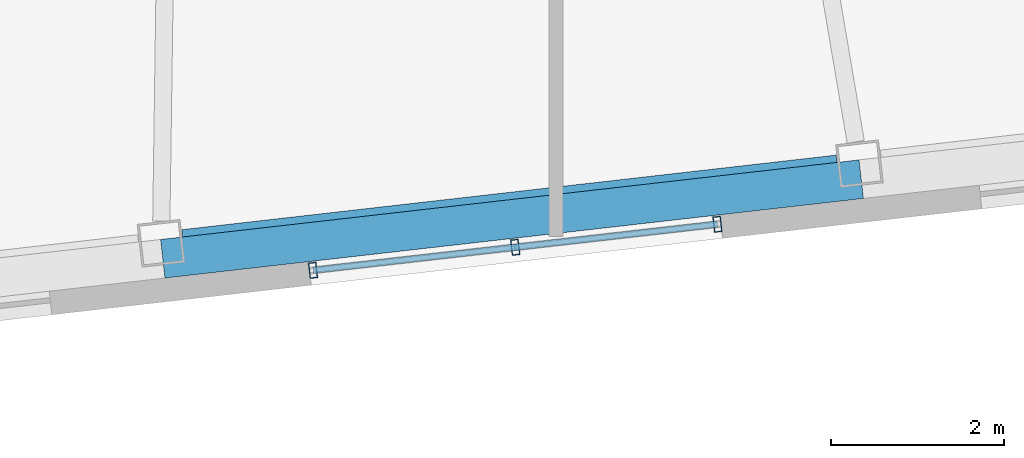
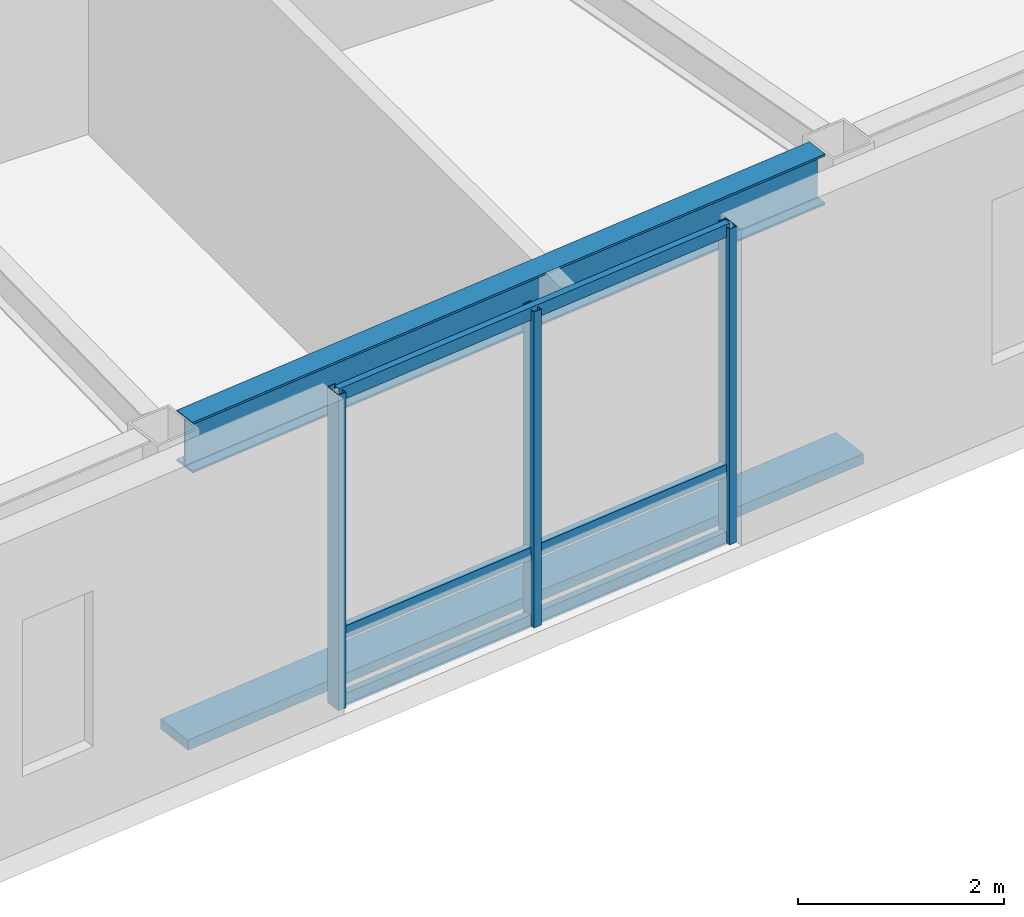
# One storey, part 6 of 19: 7 members, 1 beam, 1 element without a shape of its own.
"""IFC4 building model written with IfcOpenShell, lengths in metres."""

from ifc_helpers import new_model, si_unit, direction, frame, origin, origin_2d, place, context, subcontext, project, spatial, rectangle, hollow_rectangle, i_section, extrude, material, layer, layer_set, material_profile, profile_set, type_object, element, aggregate, save


model = new_model("IFC4")

# Units and contexts
model_context = context("Model", 3, precision=1e-05, world=origin(), true_north=direction((0.0, 1.0)))
body_context = subcontext(model_context, "Body", "Model", "MODEL_VIEW")
ifc_project = project(units=[si_unit("LENGTHUNIT", "METRE"), si_unit("AREAUNIT", "SQUARE_METRE"), si_unit("VOLUMEUNIT", "CUBIC_METRE"), si_unit("PLANEANGLEUNIT", "RADIAN"), si_unit("MASSUNIT", "GRAM", prefix="KILO")], contexts=[model_context])

# Site, building, storey
site_placement = place(None, origin())
site = spatial("IfcSite", under=ifc_project, at=site_placement, CompositionType="ELEMENT")
building_placement = place(site_placement, origin())
building = spatial("IfcBuilding", under=site, at=building_placement, Name="Tavrogorsk Clinical Tower", CompositionType="ELEMENT")
storey_placement = place(building_placement, frame((0.0, 0.0, 259.0)))
storey = spatial("IfcBuildingStorey", under=building, at=storey_placement, Name="L60", CompositionType="ELEMENT", Elevation=259.0)

# Member
ifc_material_1 = material(Name="Anodised aluminium alloy AW-6063", Category="aluminium")
ifc_material_profile_1 = material_profile(ifc_material_1, rectangle(XDim=0.449951171875, YDim=0.1201171875, at=origin_2d()), Name="ALU-SUNSHADE-450x120")
ifc_profile_set_1 = profile_set([ifc_material_profile_1], Name="Anodised aluminium alloy AW-6063")
member_type_1 = type_object("IfcMemberType", Name="ChicagoSunshade_450x120", PredefinedType="USERDEFINED", material=ifc_profile_set_1)
member_1_placement = place(storey_placement, frame((4.240478515625, -19.29150390625, 0.179931640625), z_axis=(0.9935729766, 0.113193375116, 0.0), x_axis=(-0.113193375116, 0.9935729766, 0.0)))
element("IfcMember", 1, at=member_1_placement, inside=storey, type_object=member_type_1, Name="L60 South Aluminium Sunshade S5", ObjectType="SUNSHADE", PredefinedType="USERDEFINED", context=body_context, shape_type="SweptSolid", body=[
    extrude(rectangle(XDim=0.449951171875, YDim=0.1201171875, at=origin_2d()), origin(), (0.0, 0.0, 1.0), 8.148681640625),
])

# Curtain wall, members
ifc_material_2 = material(Name="Anodised aluminium and triple IGU glazing", Category="aluminium")
ifc_layer = layer(ifc_material_2, 0.179931640625)
ifc_layer_set = layer_set([ifc_layer], Name="Anodised aluminium and triple IGU glazing")
curtain_wall_type = type_object("IfcCurtainWallType", Name="CW3_SouthSlot", PredefinedType="NOTDEFINED", material=ifc_layer_set)
curtain_wall_placement = place(storey_placement, origin())
curtain_wall = element("IfcCurtainWall", 2, at=curtain_wall_placement, inside=storey, type_object=curtain_wall_type, Name="L60 Curtain Wall CW-L60-S-SLOT-2", PredefinedType="NOTDEFINED")
ifc_material_3 = material(Name="Anodised aluminium alloy AW-6060", Category="aluminium")
ifc_material_profile_2 = material_profile(ifc_material_3, hollow_rectangle(XDim=0.090087890625, YDim=0.179931640625, WallThickness=0.00634765625, at=origin_2d()), Name="RHS-180x90x6.3")
ifc_profile_set_2 = profile_set([ifc_material_profile_2], Name="Anodised aluminium alloy AW-6060")
member_type_2 = type_object("IfcMemberType", Name="CwMullion_180x90", PredefinedType="MULLION", material=ifc_profile_set_2)
member_2_placement = place(storey_placement, frame((5.982177734375, -19.42529296875, 0.0), z_axis=(0.0, 0.0, 1.0), x_axis=(0.993571855603, 0.11320321441, 0.0)))
member_2 = element("IfcMember", 3, at=member_2_placement, type_object=member_type_2, Name="CW-L60-S-SLOT-2 Mullion 1", PredefinedType="MULLION", context=body_context, shape_type="SweptSolid", body=[
    extrude(hollow_rectangle(XDim=0.090087890625, YDim=0.179931640625, WallThickness=0.00634765625, at=origin_2d()), origin(), (0.0, 0.0, 1.0), 3.739990234375),
])
member_3_placement = place(storey_placement, frame((8.325927734375, -19.158203125, 0.0), z_axis=(0.0, 0.0, 1.0), x_axis=(0.993571855603, 0.11320321441, 0.0)))
member_3 = element("IfcMember", 4, at=member_3_placement, type_object=member_type_2, Name="CW-L60-S-SLOT-2 Mullion 2", PredefinedType="MULLION", context=body_context, shape_type="SweptSolid", body=[
    extrude(hollow_rectangle(XDim=0.090087890625, YDim=0.179931640625, WallThickness=0.00634765625, at=origin_2d()), origin(), (0.0, 0.0, 1.0), 3.739990234375),
])
member_4_placement = place(storey_placement, frame((10.669677734375, -18.89111328125, 0.0), z_axis=(0.0, 0.0, 1.0), x_axis=(0.993571855603, 0.11320321441, 0.0)))
member_4 = element("IfcMember", 5, at=member_4_placement, type_object=member_type_2, Name="CW-L60-S-SLOT-2 Mullion 3", PredefinedType="MULLION", context=body_context, shape_type="SweptSolid", body=[
    extrude(hollow_rectangle(XDim=0.090087890625, YDim=0.179931640625, WallThickness=0.00634765625, at=origin_2d()), origin(), (0.0, 0.0, 1.0), 3.739990234375),
])
ifc_material_4 = material(Name="Anodised aluminium alloy AW-6060", Category="aluminium")
ifc_material_profile_3 = material_profile(ifc_material_4, hollow_rectangle(XDim=0.074951171875, YDim=0.14990234375, WallThickness=0.0048828125, at=origin_2d()), Name="RHS-150x75x5")
ifc_profile_set_3 = profile_set([ifc_material_profile_3], Name="Anodised aluminium alloy AW-6060")
member_type_3 = type_object("IfcMemberType", Name="CwTransom_150x75", PredefinedType="USERDEFINED", material=ifc_profile_set_3)
member_5_placement = place(storey_placement, frame((5.982177734375, -19.42529296875, 0.050048828125), z_axis=(0.993569315854, 0.113225503286, 0.0), x_axis=(-0.113225503286, 0.993569315854, 0.0)))
member_5 = element("IfcMember", 6, at=member_5_placement, type_object=member_type_3, Name="CW-L60-S-SLOT-2 Transom 1", ObjectType="TRANSOM", PredefinedType="USERDEFINED", context=body_context, shape_type="SweptSolid", body=[
    extrude(hollow_rectangle(XDim=0.074951171875, YDim=0.14990234375, WallThickness=0.0048828125, at=origin_2d()), origin(), (0.0, 0.0, 1.0), 4.7177734375),
])
member_6_placement = place(storey_placement, frame((5.982177734375, -19.42529296875, 0.85009765625), z_axis=(0.993569315854, 0.113225503286, 0.0), x_axis=(-0.113225503286, 0.993569315854, 0.0)))
member_6 = element("IfcMember", 7, at=member_6_placement, type_object=member_type_3, Name="CW-L60-S-SLOT-2 Transom 2", ObjectType="TRANSOM", PredefinedType="USERDEFINED", context=body_context, shape_type="SweptSolid", body=[
    extrude(hollow_rectangle(XDim=0.074951171875, YDim=0.14990234375, WallThickness=0.0048828125, at=origin_2d()), origin(), (0.0, 0.0, 1.0), 4.7177734375),
])
member_7_placement = place(storey_placement, frame((5.982177734375, -19.42529296875, 3.68994140625), z_axis=(0.993569315854, 0.113225503286, 0.0), x_axis=(-0.113225503286, 0.993569315854, 0.0)))
member_7 = element("IfcMember", 8, at=member_7_placement, type_object=member_type_3, Name="CW-L60-S-SLOT-2 Transom 3", ObjectType="TRANSOM", PredefinedType="USERDEFINED", context=body_context, shape_type="SweptSolid", body=[
    extrude(hollow_rectangle(XDim=0.074951171875, YDim=0.14990234375, WallThickness=0.0048828125, at=origin_2d()), origin(), (0.0, 0.0, 1.0), 4.7177734375),
])
aggregate(curtain_wall, [member_2, member_3, member_4, member_5, member_6, member_7])

# Beam
ifc_material_5 = material(Name="Structural steel S390", Category="steel")
ifc_material_profile_4 = material_profile(ifc_material_5, i_section(OverallWidth=0.260009765625, OverallDepth=0.60009765625, WebThickness=0.014892578125, FlangeThickness=0.02392578125, at=origin_2d()), Name="B-600x260x15x24")
ifc_profile_set_4 = profile_set([ifc_material_profile_4], Name="Structural steel S390")
beam_type = type_object("IfcBeamType", Name="SpandrelBeam_B600", PredefinedType="SPANDREL", material=ifc_profile_set_4)
beam_placement = place(storey_placement, frame((4.476318359375, -19.08349609375, 3.43994140625), z_axis=(0.993572509708, 0.113197473259, 0.0), x_axis=(-0.113197473259, 0.993572509708, 0.0)))
element("IfcBeam", 9, at=beam_placement, inside=storey, type_object=beam_type, Name="L60 Perimeter Spandrel S5-S6", PredefinedType="SPANDREL", context=body_context, shape_type="SweptSolid", body=[
    extrude(i_section(OverallWidth=0.260009765625, OverallDepth=0.60009765625, WebThickness=0.014892578125, FlangeThickness=0.02392578125, at=origin_2d()), origin(), (0.0, 0.0, 1.0), 7.6328125),
])

save(model, "model.ifc")
